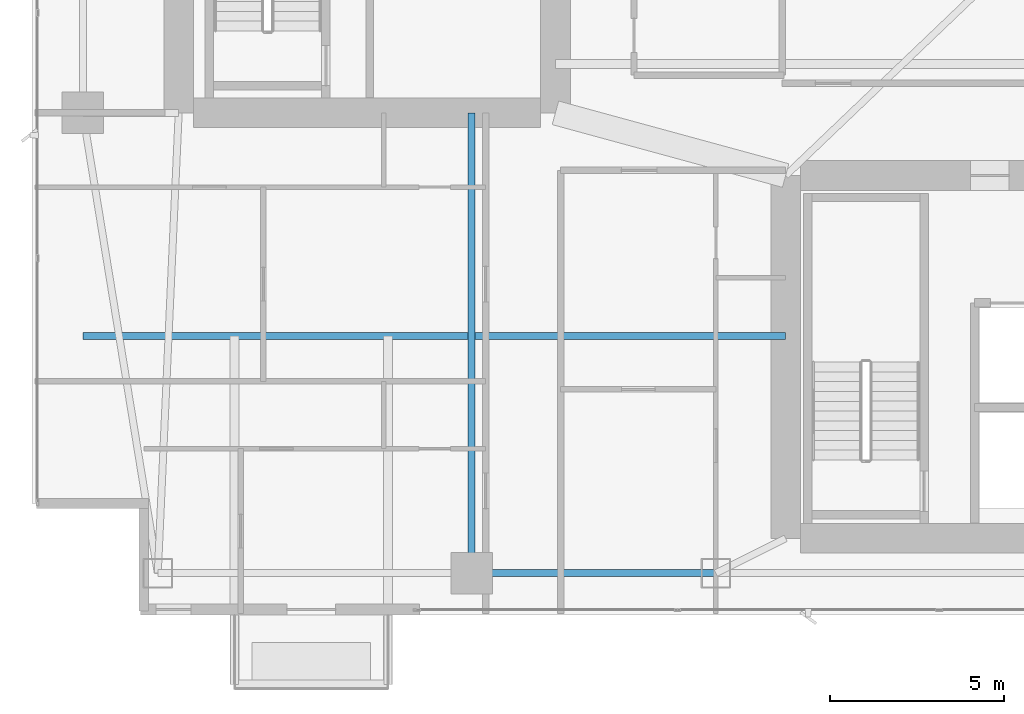
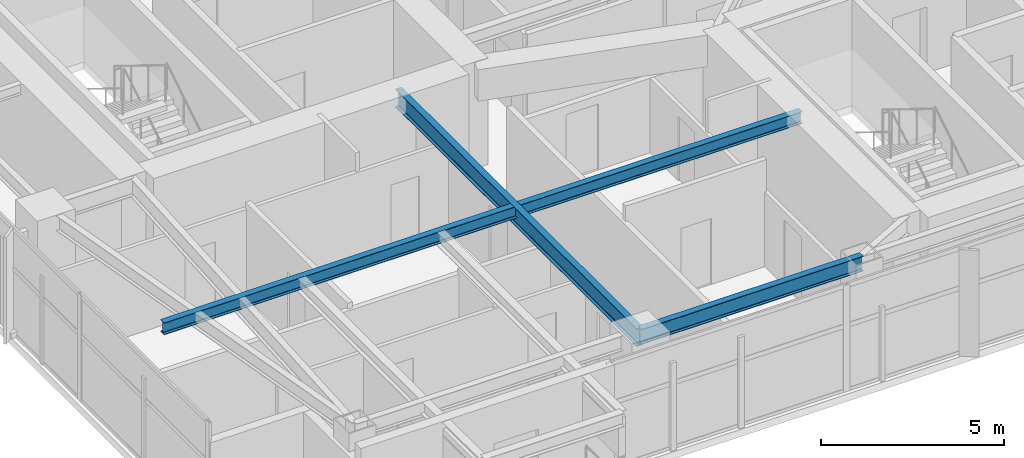
# One storey, part 5 of 28: 3 beams.
"""IFC4 building model written with IfcOpenShell, lengths in metres."""

import ifcopenshell
import ifcopenshell.guid

model = None  # the IFC model being written
_history = None  # IfcOwnerHistory: only IFC2X3 demands one
_inside = {}  # id of a spatial element -> (the spatial element, [elements in it])
_under = {}  # id of a project, library or spatial element -> (it, [spatial elements below it])
_declared = {}  # id of a project -> (the project, [libraries it declares])
_typed = {}  # id of a type object -> (the type object, [elements of that type])
_made_of = {}  # id of a material, layer set ... -> (it, [elements and type objects made of it])


def new_model(schema):
    """Start an empty IFC model of exactly this schema.

    Asked for "IFC4X3", IfcOpenShell would pick the latest addendum, in which some entities
    have other attributes; the version numbers below select the first issue.
    IFC2X3 requires an IfcOwnerHistory on every rooted entity: one is made here for all.
    """
    global model, _history
    if schema == "IFC4X3":
        model = ifcopenshell.file(schema_version=(4, 3, 0, 0))
    else:
        model = ifcopenshell.file(schema=schema)
    _inside.clear()
    _under.clear()
    _declared.clear()
    _typed.clear()
    _made_of.clear()
    _history = None
    if model.schema == "IFC2X3":
        org = make("IfcOrganization", Name="unknown")
        user = make(
            "IfcPersonAndOrganization",
            ThePerson=make("IfcPerson", FamilyName="unknown"),
            TheOrganization=org,
        )
        app = make(
            "IfcApplication",
            ApplicationDeveloper=org,
            Version="unknown",
            ApplicationFullName="unknown",
            ApplicationIdentifier="unknown",
        )
        _history = make(
            "IfcOwnerHistory",
            OwningUser=user,
            OwningApplication=app,
            ChangeAction="ADDED",
            CreationDate=0,
        )
    return model


def make(cls, **values):
    """One entity of the class cls with the attributes given. An attribute that is None is left unset."""
    return model.create_entity(
        cls, **{name: value for name, value in values.items() if value is not None}
    )


def rooted(cls, **values):
    """An entity with a GlobalId (a new one), such as an element, a storey or a relation."""
    return make(cls, GlobalId=ifcopenshell.guid.new(), OwnerHistory=_history, **values)


def si_unit(unit_type, name, prefix=None):
    """IfcSIUnit, for example si_unit("LENGTHUNIT", "METRE", prefix="MILLI")."""
    return make("IfcSIUnit", UnitType=unit_type, Prefix=prefix, Name=name)


def assignment(units):
    """IfcUnitAssignment: the units of a project."""
    return None if units is None else make("IfcUnitAssignment", Units=units)


def point(xyz):
    """IfcCartesianPoint."""
    return None if xyz is None else make("IfcCartesianPoint", Coordinates=xyz)


def direction(xyz):
    """IfcDirection."""
    return None if xyz is None else make("IfcDirection", DirectionRatios=xyz)


def frame(location, z_axis=None, x_axis=None):
    """IfcAxis2Placement3D, a coordinate frame: its origin and axes. An axis left out is left unset."""
    return make(
        "IfcAxis2Placement3D",
        Location=point(location),
        Axis=direction(z_axis),
        RefDirection=direction(x_axis),
    )


def frame_2d(location, x_axis=None):
    """IfcAxis2Placement2D, a coordinate frame in the plane: its origin and x axis."""
    return make(
        "IfcAxis2Placement2D", Location=point(location), RefDirection=direction(x_axis)
    )


def origin():
    """The frame at (0, 0, 0) with its axes left unset."""
    return frame((0.0, 0.0, 0.0))


def origin_2d():
    """The frame at (0, 0) in the plane with its x axis left unset."""
    return frame_2d((0.0, 0.0))


def place(relative_to, where):
    """IfcLocalPlacement: puts the frame where relative to a parent placement (None: the world)."""
    return make(
        "IfcLocalPlacement", PlacementRelTo=relative_to, RelativePlacement=where
    )


def context(
    kind, dimensions, precision=None, world=None, true_north=None, identifier=None
):
    """IfcGeometricRepresentationContext, for example the 3D "Model" context."""
    return make(
        "IfcGeometricRepresentationContext",
        ContextIdentifier=identifier,
        ContextType=kind,
        CoordinateSpaceDimension=dimensions,
        Precision=precision,
        WorldCoordinateSystem=world,
        TrueNorth=true_north,
    )


def subcontext(parent, identifier, kind, view, scale=None):
    """IfcGeometricRepresentationSubContext, for example "Body" below "Model"."""
    return make(
        "IfcGeometricRepresentationSubContext",
        ContextIdentifier=identifier,
        ContextType=kind,
        ParentContext=parent,
        TargetScale=scale,
        TargetView=view,
    )


def project(units=None, contexts=None):
    """IfcProject with its units and contexts."""
    return rooted(
        "IfcProject",
        Name="project",
        RepresentationContexts=contexts,
        UnitsInContext=assignment(units),
    )


def spatial(cls, under=None, at=None, **own):
    """A site, building, storey or space (cls), placed at a placement, below another one or the project."""
    s = rooted(cls, ObjectPlacement=at, **own)
    if under is not None:
        _under.setdefault(under.id(), (under, []))[1].append(s)
    return s


def profile(cls, at=None, kind="AREA", **sizes):
    """A parametric profile (cls). Its sizes go by their IFC names, for example OverallWidth=200.0."""
    return make(cls, ProfileType=kind, Position=at, **sizes)


def i_section(**sizes):
    """IfcIShapeProfileDef."""
    return profile("IfcIShapeProfileDef", **sizes)


def extrude(swept, where, along, depth):
    """IfcExtrudedAreaSolid: the profile swept, set in the frame where, extruded along a direction by depth."""
    return make(
        "IfcExtrudedAreaSolid",
        SweptArea=swept,
        Position=where,
        ExtrudedDirection=direction(along),
        Depth=depth,
    )


def shape(context_of_items, identifier, shape_type, items):
    """IfcShapeRepresentation: the items that make up one representation, for example the "Body"."""
    return make(
        "IfcShapeRepresentation",
        ContextOfItems=context_of_items,
        RepresentationIdentifier=identifier,
        RepresentationType=shape_type,
        Items=items,
    )


def material(Name=None, Category=None):
    """IfcMaterial."""
    return make("IfcMaterial", Name=Name, Category=Category)


def material_profile(
    of_material, cross_section, Name=None, Category=None, Priority=None
):
    """IfcMaterialProfile: a cross section and its material."""
    return make(
        "IfcMaterialProfile",
        Name=Name,
        Material=of_material,
        Profile=cross_section,
        Priority=Priority,
        Category=Category,
    )


def profile_set(profiles, Name=None, composite=None):
    """IfcMaterialProfileSet."""
    return make(
        "IfcMaterialProfileSet",
        Name=Name,
        MaterialProfiles=profiles,
        CompositeProfile=composite,
    )


def made_of(thing, what):
    """Note that an element or type object is made of a material, layer set ...; save() writes the relation."""
    if what is not None:
        _made_of.setdefault(what.id(), (what, []))[1].append(thing)
    return thing


def type_object(cls, material=None, **own):
    """A type object (cls), such as IfcWallType, which elements share."""
    return made_of(rooted(cls, **own), material)


def element(
    cls,
    number,
    at=None,
    inside=None,
    cuts=None,
    type_object=None,
    material=None,
    context=None,
    identifier="Body",
    shape_type=None,
    held_by="IfcProductDefinitionShape",
    body=None,
    shapes=None,
    **own,
):
    """One element of the class cls, such as IfcWall. Its Tag is "e" and its number.

    at: its placement. inside: the storey or other place that contains it. cuts: it is an
    opening in that element (IfcRelVoidsElement). A single representation is given by context,
    identifier, shape_type and body (its items); several are given by shapes. held_by: the class
    of the entity that holds the representations. save() writes the other relations.
    """
    e = rooted(cls, Tag="e%d" % number, ObjectPlacement=at, **own)
    if body is not None:
        shapes = [shape(context, identifier, shape_type, body)]
    if shapes is not None:
        e.Representation = make(held_by, Representations=shapes)
    if inside is not None:
        _inside.setdefault(inside.id(), (inside, []))[1].append(e)
    if cuts is not None:
        rooted(
            "IfcRelVoidsElement", RelatingBuildingElement=cuts, RelatedOpeningElement=e
        )
    if type_object is not None:
        _typed.setdefault(type_object.id(), (type_object, []))[1].append(e)
    return made_of(e, material)


def aggregate(whole, parts):
    """IfcRelAggregates: a whole, such as a stair, and the parts it consists of."""
    return rooted("IfcRelAggregates", RelatingObject=whole, RelatedObjects=parts)


def save(model, path):
    """Write the relations noted so far, then the file.

    IfcRelAggregates (storeys below a building ...), IfcRelContainedInSpatialStructure (elements
    in a storey), IfcRelDefinesByType, IfcRelAssociatesMaterial and IfcRelDeclares: one each for
    every whole, place, type object, material and project.
    """
    for whole, parts in _under.values():
        aggregate(whole, parts)
    for where, things in _inside.values():
        rooted(
            "IfcRelContainedInSpatialStructure",
            RelatedElements=things,
            RelatingStructure=where,
        )
    for kind, things in _typed.values():
        rooted("IfcRelDefinesByType", RelatedObjects=things, RelatingType=kind)
    for what, things in _made_of.values():
        rooted("IfcRelAssociatesMaterial", RelatedObjects=things, RelatingMaterial=what)
    for by, libraries in _declared.values():
        rooted("IfcRelDeclares", RelatingContext=by, RelatedDefinitions=libraries)
    model.write(path)


model = new_model("IFC4")

# Units and contexts
model_context = context("Model", 3, precision=1e-05, world=origin(), true_north=direction((0.0, 1.0)))
body_context = subcontext(model_context, "Body", "Model", "MODEL_VIEW")
ifc_project = project(units=[si_unit("LENGTHUNIT", "METRE"), si_unit("AREAUNIT", "SQUARE_METRE"), si_unit("VOLUMEUNIT", "CUBIC_METRE"), si_unit("PLANEANGLEUNIT", "RADIAN"), si_unit("MASSUNIT", "GRAM", prefix="KILO")], contexts=[model_context])

# Site, building, storey
site_placement = place(None, origin())
site = spatial("IfcSite", under=ifc_project, at=site_placement, CompositionType="ELEMENT")
building_placement = place(site_placement, origin())
building = spatial("IfcBuilding", under=site, at=building_placement, Name="Calvorn Quay Hotel", CompositionType="ELEMENT")
storey_placement = place(building_placement, frame((0.0, 0.0, 152.300048828125)))
storey = spatial("IfcBuildingStorey", under=building, at=storey_placement, Name="L37", CompositionType="ELEMENT", Elevation=152.300048828125)

# Beams
ifc_material_1 = material(Name="Steel Q355B", Category="steel")
ifc_material_profile_1 = material_profile(ifc_material_1, i_section(OverallWidth=0.199951171875, OverallDepth=0.60009765625, WebThickness=0.010986328125, FlangeThickness=0.01708984375, FilletRadius=0.01806640625, at=origin_2d()), Name="HN600x200x11x17")
ifc_profile_set_1 = profile_set([ifc_material_profile_1], Name="Steel Q355B")
beam_type_1 = type_object("IfcBeamType", Name="BM-GIRD-TYP", PredefinedType="BEAM", material=ifc_profile_set_1)
beam_1_placement = place(storey_placement, frame((12.60009765625, 3.60009765625, 3.239990234375), z_axis=(0.0, 1.0, 0.0), x_axis=(-1.0, 0.0, 0.0)))
element("IfcBeam", 1, at=beam_1_placement, inside=storey, type_object=beam_type_1, Name="Beam BG-L37-S1", PredefinedType="BEAM", context=body_context, shape_type="SweptSolid", body=[
    extrude(i_section(OverallWidth=0.199951171875, OverallDepth=0.60009765625, WebThickness=0.010986328125, FlangeThickness=0.01708984375, FilletRadius=0.01806640625, at=origin_2d()), origin(), (0.0, 0.0, 1.0), 13.199951171875),
])
ifc_material_2 = material(Name="Steel Q355B", Category="steel")
ifc_material_profile_2 = material_profile(ifc_material_2, i_section(OverallWidth=0.199951171875, OverallDepth=0.39990234375, WebThickness=0.008056640625, FlangeThickness=0.012939453125, FilletRadius=0.01611328125, at=origin_2d()), Name="HN400x200x8x13")
ifc_profile_set_2 = profile_set([ifc_material_profile_2], Name="Steel Q355B")
beam_type_2 = type_object("IfcBeamType", Name="BM-JOIST-TYP", PredefinedType="JOIST", material=ifc_profile_set_2)
beam_2_placement = place(storey_placement, frame((1.449951171875, 10.39990234375, 3.33984375), z_axis=(1.0, 0.0, 0.0), x_axis=(0.0, 1.0, 0.0)))
element("IfcBeam", 2, at=beam_2_placement, inside=storey, type_object=beam_type_2, Name="Beam BJ-L37-W1", PredefinedType="JOIST", context=body_context, shape_type="SweptSolid", body=[
    extrude(i_section(OverallWidth=0.199951171875, OverallDepth=0.39990234375, WebThickness=0.008056640625, FlangeThickness=0.012939453125, FilletRadius=0.01611328125, at=origin_2d()), origin(), (0.0, 0.0, 1.0), 20.150146484375),
])
ifc_material_3 = material(Name="Steel Q355B", Category="steel")
ifc_material_profile_3 = material_profile(ifc_material_3, i_section(OverallWidth=0.199951171875, OverallDepth=0.5, WebThickness=0.010009765625, FlangeThickness=0.01611328125, FilletRadius=0.01611328125, at=origin_2d()), Name="HN500x200x10x16")
ifc_profile_set_3 = profile_set([ifc_material_profile_3], Name="Steel Q355B")
beam_type_3 = type_object("IfcBeamType", Name="BM-SPANDREL-Z1", PredefinedType="SPANDREL", material=ifc_profile_set_3)
beam_3_placement = place(storey_placement, frame((12.60009765625, 3.60009765625, 3.2900390625), z_axis=(1.0, 0.0, 0.0), x_axis=(0.0, 1.0, 0.0)))
element("IfcBeam", 3, at=beam_3_placement, inside=storey, type_object=beam_type_3, Name="Beam BSP-L37-S2", PredefinedType="SPANDREL", context=body_context, shape_type="SweptSolid", body=[
    extrude(i_section(OverallWidth=0.199951171875, OverallDepth=0.5, WebThickness=0.010009765625, FlangeThickness=0.01611328125, FilletRadius=0.01611328125, at=origin_2d()), origin(), (0.0, 0.0, 1.0), 7.0),
])

save(model, "model.ifc")
